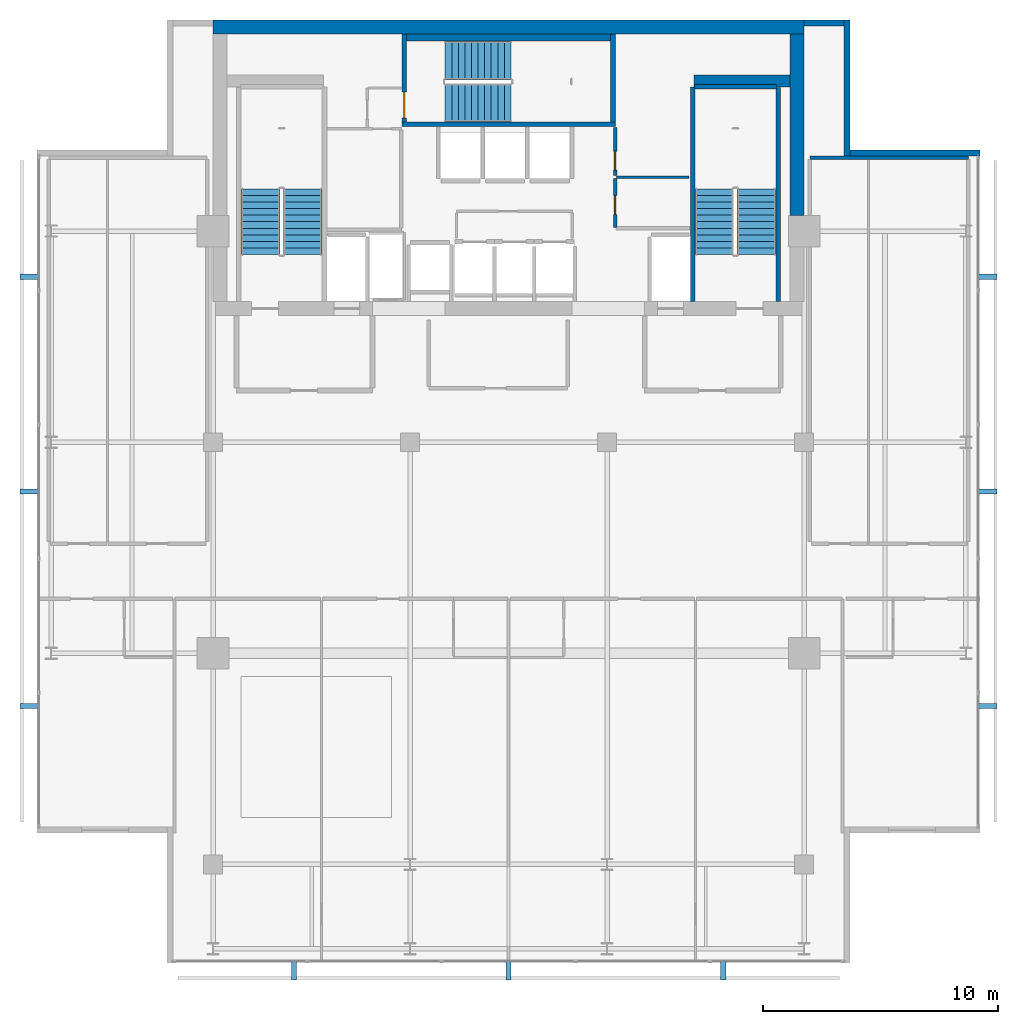
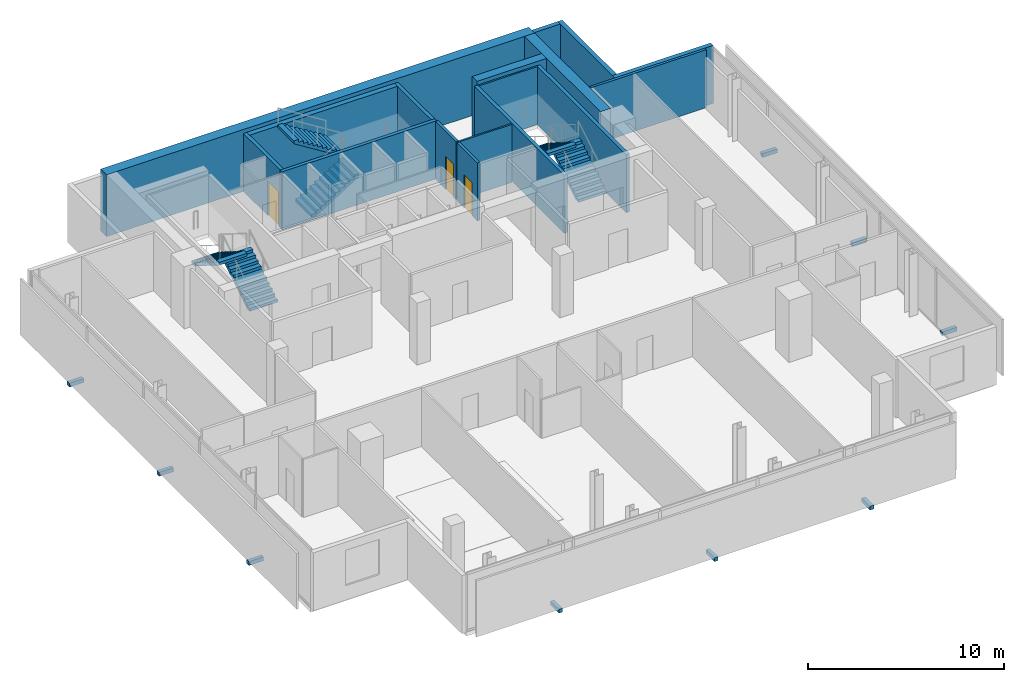
# One storey, part 19 of 23: 17 walls, 9 discrete accessories, 6 stair flights, 3 doors, 3 openings, 3 elements without a shape of their own.
"""IFC4 building model written with IfcOpenShell, lengths in metres."""

from ifc_helpers import new_model, si_unit, direction, frame, frame_2d, origin, origin_2d, place, context, subcontext, project, spatial, polyline, rectangle, outline, extrude, material, layer, layer_set, type_object, element, fill, aggregate, save


model = new_model("IFC4")

# Units and contexts
model_context = context("Model", 3, precision=1e-05, world=origin(), true_north=direction((0.0, 1.0)))
body_context = subcontext(model_context, "Body", "Model", "MODEL_VIEW")
ifc_project = project(units=[si_unit("LENGTHUNIT", "METRE"), si_unit("AREAUNIT", "SQUARE_METRE"), si_unit("VOLUMEUNIT", "CUBIC_METRE"), si_unit("PLANEANGLEUNIT", "RADIAN"), si_unit("MASSUNIT", "GRAM", prefix="KILO")], contexts=[model_context])

# Site, building, storey
site_placement = place(None, origin())
site = spatial("IfcSite", under=ifc_project, at=site_placement, CompositionType="ELEMENT")
building_placement = place(site_placement, origin())
building = spatial("IfcBuilding", under=site, at=building_placement, Name="Maruvema Waterfront Hotel and Observation Tower", CompositionType="ELEMENT")
storey_placement = place(building_placement, frame((0.0, 0.0, 341.25)))
storey = spatial("IfcBuildingStorey", under=building, at=storey_placement, Name="L84", CompositionType="ELEMENT", Elevation=341.25)

# Wall, opening, door
ifc_material_1 = material(Name="Twin-stud acoustic gypsum drywall", Category="gypsum")
ifc_layer_1 = layer(ifc_material_1, 0.14990234375, Name="Acoustic Corridor and Suite Demising Wall 150 mm")
ifc_layer_set_1 = layer_set([ifc_layer_1], Name="Twin-stud acoustic gypsum drywall")
wall_type_1 = type_object("IfcWallType", Name="Acoustic Corridor and Suite Demising Wall 150 mm", PredefinedType="PARTITIONING", material=ifc_layer_set_1)
wall_1_placement = place(storey_placement, frame((42.340087890625, 45.159912109375, 0.0), z_axis=(0.0, 0.0, 1.0), x_axis=(0.0, 1.0, 0.0)))
wall_1 = element("IfcWall", 1, at=wall_1_placement, inside=storey, type_object=wall_type_1, Name="L84 Freed B2 West S 018", PredefinedType="PARTITIONING", context=body_context, shape_type="SweptSolid", body=[
    extrude(rectangle(XDim=2.080078125, YDim=0.14990234375, at=frame_2d((1.0400390625, 0.0))), origin(), (0.0, 0.0, 1.0), 3.610107421875),
])
opening_1_placement = place(wall_1_placement, frame((0.550048828125, 0.0, 0.0)))
opening_1 = element("IfcOpeningElement", 2, at=opening_1_placement, cuts=wall_1, Name="Opening DR-080", PredefinedType="OPENING", context=body_context, shape_type="SweptSolid", body=[
    extrude(rectangle(XDim=0.800048828125, YDim=2.050048828125, at=frame_2d((0.39990234375, 1.02490234375))), frame((0.0, 0.0849609375, 0.0), z_axis=(0.0, -1.0, 0.0), x_axis=(1.0, 0.0, 0.0)), (0.0, 0.0, 1.0), 0.169921875),
])
ifc_material_2 = material(Name="Powder-coated steel access leaf", Category="steel")
door_type_1 = type_object("IfcDoorType", Name="Riser and Service Cupboard Door 800x2050 mm", OperationType="NOTDEFINED", PredefinedType="DOOR", material=ifc_material_2)
door_1_placement = place(opening_1_placement, frame((0.800048828125, 0.0, 0.0), z_axis=(0.0, 0.0, 1.0), x_axis=(-1.0, 0.0, 0.0)))
door_1 = element("IfcDoor", 3, at=door_1_placement, inside=storey, type_object=door_type_1, Name="L84 Butler Service Pantry Door", OperationType="SINGLE_SWING_LEFT", OverallHeight=2.050048828125, OverallWidth=0.800048828125, PredefinedType="DOOR", context=body_context, shape_type="SweptSolid", body=[
    extrude(rectangle(XDim=0.800048828125, YDim=2.050048828125, at=frame_2d((0.39990234375, 1.02490234375))), frame((0.0, 0.02490234375, 0.0), z_axis=(0.0, -1.0, 0.0), x_axis=(1.0, 0.0, 0.0)), (0.0, 0.0, 1.0), 0.050048828125),
])
fill(opening_1, door_1)

wall_2_placement = place(storey_placement, frame((42.340087890625, 47.360107421875, 0.0), z_axis=(0.0, 0.0, 1.0), x_axis=(0.0, 1.0, 0.0)))
wall_2 = element("IfcWall", 4, at=wall_2_placement, inside=storey, type_object=wall_type_1, Name="L84 Freed B2 West N 019", PredefinedType="PARTITIONING", context=body_context, shape_type="SweptSolid", body=[
    extrude(rectangle(XDim=2.059814453125, YDim=0.14990234375, at=frame_2d((1.02978515625, 0.0))), origin(), (0.0, 0.0, 1.0), 3.610107421875),
])
opening_2_placement = place(wall_2_placement, frame((0.239990234375, 0.0, 0.0)))
opening_2 = element("IfcOpeningElement", 5, at=opening_2_placement, cuts=wall_2, Name="Opening DR-080", PredefinedType="OPENING", context=body_context, shape_type="SweptSolid", body=[
    extrude(rectangle(XDim=0.800048828125, YDim=2.050048828125, at=frame_2d((0.39990234375, 1.02490234375))), frame((0.0, 0.0849609375, 0.0), z_axis=(0.0, -1.0, 0.0), x_axis=(1.0, 0.0, 0.0)), (0.0, 0.0, 1.0), 0.169921875),
])
door_2_placement = place(opening_2_placement, frame((0.800048828125, 0.0, 0.0), z_axis=(0.0, 0.0, 1.0), x_axis=(-1.0, 0.0, 0.0)))
door_2 = element("IfcDoor", 6, at=door_2_placement, inside=storey, type_object=door_type_1, Name="L84 Core IT and Linen Store Door", OperationType="SINGLE_SWING_RIGHT", OverallHeight=2.050048828125, OverallWidth=0.800048828125, PredefinedType="DOOR", context=body_context, shape_type="SweptSolid", body=[
    extrude(rectangle(XDim=0.800048828125, YDim=2.050048828125, at=frame_2d((0.39990234375, 1.02490234375))), frame((0.0, 0.02490234375, 0.0), z_axis=(0.0, -1.0, 0.0), x_axis=(1.0, 0.0, 0.0)), (0.0, 0.0, 1.0), 0.050048828125),
])
fill(opening_2, door_2)

# Walls
wall_3_placement = place(storey_placement, frame((50.64990234375, 48.125, 0.0), z_axis=(0.0, 0.0, 1.0), x_axis=(1.0, 0.0, 0.0)))
element("IfcWall", 7, at=wall_3_placement, inside=storey, type_object=wall_type_1, Name="L84 L84-Z4E Back Wall 031", PredefinedType="PARTITIONING", context=body_context, shape_type="SweptSolid", body=[
    extrude(rectangle(XDim=6.75, YDim=0.14990234375, at=frame_2d((3.375, 0.0))), origin(), (0.0, 0.0, 1.0), 3.610107421875),
])
ifc_material_3 = material(Name="Precast concrete C45/55", Category="concrete")
ifc_layer_2 = layer(ifc_material_3, 0.300048828125, Name="Core Shaft Furring Wall 300 mm")
ifc_layer_set_2 = layer_set([ifc_layer_2], Name="Precast concrete C45/55")
wall_type_2 = type_object("IfcWallType", Name="Core Shaft Furring Wall 300 mm", PredefinedType="SOLIDWALL", material=ifc_layer_set_2)
wall_4_placement = place(storey_placement, frame((33.449951171875, 53.25, 0.0), z_axis=(0.0, 0.0, 1.0), x_axis=(1.0, 0.0, 0.0)))
element("IfcWall", 8, at=wall_4_placement, inside=storey, type_object=wall_type_2, Name="L84 Stairwell ST-02 North Furring Wall", PredefinedType="SOLIDWALL", context=body_context, shape_type="SweptSolid", body=[
    extrude(rectangle(XDim=8.699951171875, YDim=0.300048828125, at=frame_2d((4.35009765625, 0.0))), origin(), (0.0, 0.0, 1.0), 3.610107421875),
])
ifc_material_4 = material(Name="Precast concrete C45/55", Category="concrete")
ifc_layer_3 = layer(ifc_material_4, 0.199951171875, Name="Core Shaft and Stairwell Enclosure Wall 200 mm")
ifc_layer_set_3 = layer_set([ifc_layer_3], Name="Precast concrete C45/55")
wall_type_3 = type_object("IfcWallType", Name="Core Shaft and Stairwell Enclosure Wall 200 mm", PredefinedType="SOLIDWALL", material=ifc_layer_set_3)
wall_5_placement = place(storey_placement, frame((33.25, 49.550048828125, 0.0), z_axis=(0.0, 0.0, 1.0), x_axis=(1.0, 0.0, 0.0)))
element("IfcWall", 9, at=wall_5_placement, inside=storey, type_object=wall_type_3, Name="L84 Stairwell ST-02 Shaft Wall", PredefinedType="SOLIDWALL", context=body_context, shape_type="SweptSolid", body=[
    extrude(rectangle(XDim=9.10009765625, YDim=0.199951171875, at=frame_2d((4.550048828125, 0.0))), origin(), (0.0, 0.0, 1.0), 3.610107421875),
])
wall_6_placement = place(storey_placement, frame((42.25, 49.64990234375, 0.0), z_axis=(0.0, 0.0, 1.0), x_axis=(0.0, 1.0, 0.0)))
element("IfcWall", 10, at=wall_6_placement, inside=storey, type_object=wall_type_3, Name="L84 Stairwell ST-02 Shaft Wall", PredefinedType="SOLIDWALL", context=body_context, shape_type="SweptSolid", body=[
    extrude(rectangle(XDim=3.75, YDim=0.199951171875, at=frame_2d((1.875, 0.0))), origin(), (0.0, 0.0, 1.0), 3.610107421875),
])

# Wall, opening, door
wall_7_placement = place(storey_placement, frame((33.35009765625, 49.64990234375, 0.0), z_axis=(0.0, 0.0, 1.0), x_axis=(0.0, 1.0, 0.0)))
wall_7 = element("IfcWall", 11, at=wall_7_placement, inside=storey, type_object=wall_type_3, Name="L84 Stairwell ST-02 Shaft Wall", PredefinedType="SOLIDWALL", context=body_context, shape_type="SweptSolid", body=[
    extrude(rectangle(XDim=3.75, YDim=0.199951171875, at=frame_2d((1.875, 0.0))), origin(), (0.0, 0.0, 1.0), 3.610107421875),
])
opening_3_placement = place(wall_7_placement, frame((0.179931640625, 0.0, 0.0)))
opening_3 = element("IfcOpeningElement", 12, at=opening_3_placement, cuts=wall_7, Name="Opening SD-02", PredefinedType="OPENING", context=body_context, shape_type="SweptSolid", body=[
    extrude(rectangle(XDim=1.10009765625, YDim=2.14990234375, at=frame_2d((0.550048828125, 1.074951171875))), frame((0.0, 0.10986328125, 0.0), z_axis=(0.0, -1.0, 0.0), x_axis=(1.0, 0.0, 0.0)), (0.0, 0.0, 1.0), 0.219970703125),
])
ifc_material_5 = material(Name="Fire-rated galvanised steel leaf", Category="steel")
door_type_2 = type_object("IfcDoorType", Name="Central Exit Stair Fire Door 1100x2150 mm", OperationType="NOTDEFINED", PredefinedType="DOOR", material=ifc_material_5)
door_3_placement = place(opening_3_placement, frame((1.10009765625, 0.0, 0.0), z_axis=(0.0, 0.0, 1.0), x_axis=(-1.0, 0.0, 0.0)))
door_3 = element("IfcDoor", 13, at=door_3_placement, inside=storey, type_object=door_type_2, Name="L84 Exit Stair ST-02 Fire Door", OperationType="SINGLE_SWING_LEFT", OverallHeight=2.14990234375, OverallWidth=1.10009765625, PredefinedType="DOOR", context=body_context, shape_type="SweptSolid", body=[
    extrude(rectangle(XDim=1.10009765625, YDim=2.14990234375, at=frame_2d((0.550048828125, 1.074951171875))), frame((0.0, 0.02490234375, 0.0), z_axis=(0.0, -1.0, 0.0), x_axis=(1.0, 0.0, 0.0)), (0.0, 0.0, 1.0), 0.050048828125),
])
fill(opening_3, door_3)

# Walls
wall_8_placement = place(storey_placement, frame((45.64990234375, 42.0, 0.0), z_axis=(0.0, 0.0, 1.0), x_axis=(0.0, 1.0, 0.0)))
element("IfcWall", 14, at=wall_8_placement, inside=storey, type_object=wall_type_3, Name="L84 Stairwell ST-03 West Shaft Wall", PredefinedType="SOLIDWALL", context=body_context, shape_type="SweptSolid", body=[
    extrude(rectangle(XDim=9.14990234375, YDim=0.199951171875, at=frame_2d((4.574951171875, 0.0))), origin(), (0.0, 0.0, 1.0), 3.610107421875),
])
wall_9_placement = place(storey_placement, frame((49.300048828125, 42.0, 0.0), z_axis=(0.0, 0.0, 1.0), x_axis=(0.0, 1.0, 0.0)))
element("IfcWall", 15, at=wall_9_placement, inside=storey, type_object=wall_type_3, Name="L84 Stairwell ST-03 Shaft Lining Wall", PredefinedType="SOLIDWALL", context=body_context, shape_type="SweptSolid", body=[
    extrude(rectangle(XDim=9.1201171875, YDim=0.199951171875, at=frame_2d((4.56005859375, 0.0))), origin(), (0.0, 0.0, 1.0), 3.610107421875),
])
wall_10_placement = place(storey_placement, frame((45.719970703125, 51.14990234375, 0.0), z_axis=(0.0, 0.0, 1.0), x_axis=(1.0, 0.0, 0.0)))
element("IfcWall", 16, at=wall_10_placement, inside=storey, type_object=wall_type_3, Name="L84 Stairwell ST-03 Shaft Lining Wall", PredefinedType="SOLIDWALL", context=body_context, shape_type="SweptSolid", body=[
    extrude(rectangle(XDim=3.5, YDim=0.199951171875, at=frame_2d((1.75, 0.0))), origin(), (0.0, 0.0, 1.0), 3.610107421875),
])
ifc_material_6 = material(Name="Concrete C70/85", Category="concrete")
ifc_layer_4 = layer(ifc_material_6, 0.5, Name="Core Shear Wall 500 mm")
ifc_layer_set_4 = layer_set([ifc_layer_4], Name="Concrete C70/85")
wall_type_4 = type_object("IfcWallType", Name="Core Shear Wall 500 mm", PredefinedType="SHEAR", material=ifc_layer_set_4)
wall_11_placement = place(storey_placement, frame((45.699951171875, 51.39990234375, 0.0), z_axis=(0.0, 0.0, 1.0), x_axis=(1.0, 0.0, 0.0)))
element("IfcWall", 17, at=wall_11_placement, inside=storey, type_object=wall_type_4, Name="L84 Internal Core Shear Wall NE 500 mm", PredefinedType="SHEAR", context=body_context, shape_type="SweptSolid", body=[
    extrude(rectangle(XDim=4.10009765625, YDim=0.5, at=frame_2d((2.050048828125, 0.0))), origin(), (0.0, 0.0, 1.0), 3.85009765625),
])
ifc_material_7 = material(Name="Concrete C60/75", Category="concrete")
ifc_layer_5 = layer(ifc_material_7, 0.60009765625, Name="Core Shear Wall 600 mm")
ifc_layer_set_5 = layer_set([ifc_layer_5], Name="Concrete C60/75")
wall_type_5 = type_object("IfcWallType", Name="Core Shear Wall 600 mm", PredefinedType="SHEAR", material=ifc_layer_set_5)
wall_12_placement = place(storey_placement, frame((25.199951171875, 53.699951171875, 0.0), z_axis=(0.0, 0.0, 1.0), x_axis=(1.0, 0.0, 0.0)))
element("IfcWall", 18, at=wall_12_placement, inside=storey, type_object=wall_type_5, Name="L84 North Core Shear Wall", PredefinedType="SHEAR", context=body_context, shape_type="SweptSolid", body=[
    extrude(rectangle(XDim=25.199951171875, YDim=0.60009765625, at=frame_2d((12.60009765625, 0.0))), origin(), (0.0, 0.0, 1.0), 3.85009765625),
])
wall_13_placement = place(storey_placement, frame((50.10009765625, 45.675048828125, 0.0), z_axis=(0.0, 0.0, 1.0), x_axis=(0.0, 1.0, 0.0)))
element("IfcWall", 19, at=wall_13_placement, inside=storey, type_object=wall_type_5, Name="L84 East-North Core Shear Wall", PredefinedType="SHEAR", context=body_context, shape_type="SweptSolid", body=[
    extrude(rectangle(XDim=7.724853515625, YDim=0.60009765625, at=frame_2d((3.8623046875, 0.0))), origin(), (0.0, 0.0, 1.0), 3.85009765625),
])
ifc_material_8 = material(Name="Moisture-resistant cement-board drywall", Category="gypsum")
ifc_layer_6 = layer(ifc_material_8, 0.10009765625, Name="En-Suite Moisture-Resistant Partition 100 mm")
ifc_layer_set_6 = layer_set([ifc_layer_6], Name="Moisture-resistant cement-board drywall")
wall_type_6 = type_object("IfcWallType", Name="En-Suite Moisture-Resistant Partition 100 mm", PredefinedType="PARTITIONING", material=ifc_layer_set_6)
wall_14_placement = place(storey_placement, frame((42.39990234375, 47.300048828125, 0.0), z_axis=(0.0, 0.0, 1.0), x_axis=(1.0, 0.0, 0.0)))
element("IfcWall", 20, at=wall_14_placement, inside=storey, type_object=wall_type_6, Name="L84 Freed B2 Split 020", PredefinedType="PARTITIONING", context=body_context, shape_type="SweptSolid", body=[
    extrude(rectangle(XDim=3.10009765625, YDim=0.10009765625, at=frame_2d((1.550048828125, 0.0))), origin(), (0.0, 0.0, 1.0), 3.610107421875),
])
ifc_material_9 = material(Name="Precast concrete C45/55 with honed Pernambuco granite facing", Category="masonry")
ifc_layer_7 = layer(ifc_material_9, 0.260009765625, Name="Exterior Granite Clad Spandrel and Pier Wall 260 mm")
ifc_layer_set_7 = layer_set([ifc_layer_7], Name="Precast concrete C45/55 with honed Pernambuco granite facing")
wall_type_7 = type_object("IfcWallType", Name="Exterior Granite Clad Spandrel and Pier Wall 260 mm", PredefinedType="SOLIDWALL", material=ifc_layer_set_7)
wall_15_placement = place(storey_placement, frame((52.22998046875, 54.0, 0.0), z_axis=(0.0, 0.0, 1.0), x_axis=(0.0, -1.0, 0.0)))
element("IfcWall", 21, at=wall_15_placement, inside=storey, type_object=wall_type_7, Name="L84 Corner Notch Granite Pier Wall NE1", PredefinedType="SOLIDWALL", context=body_context, shape_type="SweptSolid", body=[
    extrude(rectangle(XDim=5.800048828125, YDim=0.260009765625, at=frame_2d((2.89990234375, 0.0))), origin(), (0.0, 0.0, 1.0), 3.610107421875),
])
wall_16_placement = place(storey_placement, frame((52.10009765625, 48.330078125, 0.0), z_axis=(0.0, 0.0, 1.0), x_axis=(1.0, 0.0, 0.0)))
element("IfcWall", 22, at=wall_16_placement, inside=storey, type_object=wall_type_7, Name="L84 Corner Notch Granite Pier Wall NE2", PredefinedType="SOLIDWALL", context=body_context, shape_type="SweptSolid", body=[
    extrude(rectangle(XDim=5.7998046875, YDim=0.260009765625, at=frame_2d((2.89990234375, 0.0))), origin(), (0.0, 0.0, 1.0), 3.610107421875),
])
wall_17_placement = place(storey_placement, frame((52.10009765625, 53.8701171875, 0.0), z_axis=(0.0, 0.0, 1.0), x_axis=(-1.0, 0.0, 0.0)))
element("IfcWall", 23, at=wall_17_placement, inside=storey, type_object=wall_type_7, Name="L84 North-East Core Flanking Pier Wall", PredefinedType="SOLIDWALL", context=body_context, shape_type="SweptSolid", body=[
    extrude(rectangle(XDim=1.7001953125, YDim=0.260009765625, at=frame_2d((0.85009765625, 0.0))), origin(), (0.0, 0.0, 1.0), 3.610107421875),
])

# Stair, stair flights
ifc_material_10 = material(Name="Concrete C50/60", Category="concrete")
stair_type = type_object("IfcStairType", Name="Dogleg Exit Stair 1650 mm (22R x 175.0 mm)", PredefinedType="HALF_TURN_STAIR", material=ifc_material_10)
stair_1_placement = place(storey_placement, origin())
stair_1 = element("IfcStair", 24, at=stair_1_placement, inside=storey, type_object=stair_type, Name="L84 ST-01", PredefinedType="HALF_TURN_STAIR")
ifc_material_11 = material(Name="Concrete C50/60", Category="concrete")
stair_flight_type = type_object("IfcStairFlightType", Name="Reinforced Concrete Stair Flight 1650 mm (11R x 175.0 mm)", PredefinedType="STRAIGHT", material=ifc_material_11)
stair_flight_1_placement = place(storey_placement, frame((29.02490234375, 44.0, 0.0), z_axis=(0.0, 0.0, 1.0), x_axis=(0.0, 1.0, 0.0)))
stair_flight_1 = element("IfcStairFlight", 25, at=stair_flight_1_placement, type_object=stair_flight_type, Name="ST-01 flight 1", NumberOfRisers=11, NumberOfTreads=10, PredefinedType="STRAIGHT", RiserHeight=0.175, TreadLength=0.28, context=body_context, shape_type="SweptSolid", body=[
    extrude(outline(polyline([(0.0, 0.0), (0.0, 0.175048828125), (0.280029296875, 0.175048828125), (0.280029296875, 0.35009765625), (0.56005859375, 0.35009765625), (0.56005859375, 0.52490234375), (0.840087890625, 0.52490234375), (0.840087890625, 0.699951171875), (1.1201171875, 0.699951171875), (1.1201171875, 0.875), (1.39990234375, 0.875), (1.39990234375, 1.050048828125), (1.679931640625, 1.050048828125), (1.679931640625, 1.22509765625), (1.9599609375, 1.22509765625), (1.9599609375, 1.39990234375), (2.239990234375, 1.39990234375), (2.239990234375, 1.574951171875), (2.52001953125, 1.574951171875), (2.52001953125, 1.75), (2.800048828125, 1.75), (2.800048828125, 1.925048828125), (2.800048828125, 1.5732421875), (0.28271484375, 0.0), (0.0, 0.0)])), frame((0.0, 0.824951171875, 0.0), z_axis=(0.0, -1.0, 0.0), x_axis=(1.0, 0.0, 0.0)), (0.0, 0.0, 1.0), 1.64990234375),
])
stair_flight_2_placement = place(storey_placement, frame((27.22509765625, 46.800048828125, 1.925048828125), z_axis=(0.0, 0.0, 1.0), x_axis=(0.0, -1.0, 0.0)))
stair_flight_2 = element("IfcStairFlight", 26, at=stair_flight_2_placement, type_object=stair_flight_type, Name="ST-01 flight 2", NumberOfRisers=11, NumberOfTreads=10, PredefinedType="STRAIGHT", RiserHeight=0.175, TreadLength=0.28, context=body_context, shape_type="SweptSolid", body=[
    extrude(outline(polyline([(0.0, 0.0), (0.0, 0.175048828125), (0.280029296875, 0.175048828125), (0.280029296875, 0.35009765625), (0.56005859375, 0.35009765625), (0.56005859375, 0.52490234375), (0.840087890625, 0.52490234375), (0.840087890625, 0.699951171875), (1.1201171875, 0.699951171875), (1.1201171875, 0.875), (1.39990234375, 0.875), (1.39990234375, 1.050048828125), (1.679931640625, 1.050048828125), (1.679931640625, 1.22509765625), (1.9599609375, 1.22509765625), (1.9599609375, 1.39990234375), (2.239990234375, 1.39990234375), (2.239990234375, 1.574951171875), (2.52001953125, 1.574951171875), (2.52001953125, 1.75), (2.800048828125, 1.75), (2.800048828125, 1.925048828125), (2.800048828125, 1.5732421875), (0.28271484375, 0.0), (0.0, 0.0)])), frame((0.0, 0.824951171875, 0.0), z_axis=(0.0, -1.0, 0.0), x_axis=(1.0, 0.0, 0.0)), (0.0, 0.0, 1.0), 1.64990234375),
])
aggregate(stair_1, [stair_flight_1, stair_flight_2])

stair_2_placement = place(storey_placement, origin())
stair_2 = element("IfcStair", 27, at=stair_2_placement, inside=storey, type_object=stair_type, Name="L84 ST-02", PredefinedType="HALF_TURN_STAIR")
stair_flight_3_placement = place(storey_placement, frame((35.10009765625, 50.47509765625, 0.0), z_axis=(0.0, 0.0, 1.0), x_axis=(1.0, 0.0, 0.0)))
stair_flight_3 = element("IfcStairFlight", 28, at=stair_flight_3_placement, type_object=stair_flight_type, Name="ST-02 flight 1", NumberOfRisers=11, NumberOfTreads=10, PredefinedType="STRAIGHT", RiserHeight=0.175, TreadLength=0.28, context=body_context, shape_type="SweptSolid", body=[
    extrude(outline(polyline([(0.0, 0.0), (0.0, 0.175048828125), (0.280029296875, 0.175048828125), (0.280029296875, 0.35009765625), (0.56005859375, 0.35009765625), (0.56005859375, 0.52490234375), (0.840087890625, 0.52490234375), (0.840087890625, 0.699951171875), (1.1201171875, 0.699951171875), (1.1201171875, 0.875), (1.39990234375, 0.875), (1.39990234375, 1.050048828125), (1.679931640625, 1.050048828125), (1.679931640625, 1.22509765625), (1.9599609375, 1.22509765625), (1.9599609375, 1.39990234375), (2.239990234375, 1.39990234375), (2.239990234375, 1.574951171875), (2.52001953125, 1.574951171875), (2.52001953125, 1.75), (2.800048828125, 1.75), (2.800048828125, 1.925048828125), (2.800048828125, 1.5732421875), (0.28271484375, 0.0), (0.0, 0.0)])), frame((0.0, 0.824951171875, 0.0), z_axis=(0.0, -1.0, 0.0), x_axis=(1.0, 0.0, 0.0)), (0.0, 0.0, 1.0), 1.64990234375),
])
stair_flight_4_placement = place(storey_placement, frame((37.89990234375, 52.27490234375, 1.925048828125), z_axis=(0.0, 0.0, 1.0), x_axis=(-1.0, 0.0, 0.0)))
stair_flight_4 = element("IfcStairFlight", 29, at=stair_flight_4_placement, type_object=stair_flight_type, Name="ST-02 flight 2", NumberOfRisers=11, NumberOfTreads=10, PredefinedType="STRAIGHT", RiserHeight=0.175, TreadLength=0.28, context=body_context, shape_type="SweptSolid", body=[
    extrude(outline(polyline([(0.0, 0.0), (0.0, 0.175048828125), (0.280029296875, 0.175048828125), (0.280029296875, 0.35009765625), (0.56005859375, 0.35009765625), (0.56005859375, 0.52490234375), (0.840087890625, 0.52490234375), (0.840087890625, 0.699951171875), (1.1201171875, 0.699951171875), (1.1201171875, 0.875), (1.39990234375, 0.875), (1.39990234375, 1.050048828125), (1.679931640625, 1.050048828125), (1.679931640625, 1.22509765625), (1.9599609375, 1.22509765625), (1.9599609375, 1.39990234375), (2.239990234375, 1.39990234375), (2.239990234375, 1.574951171875), (2.52001953125, 1.574951171875), (2.52001953125, 1.75), (2.800048828125, 1.75), (2.800048828125, 1.925048828125), (2.800048828125, 1.5732421875), (0.28271484375, 0.0), (0.0, 0.0)])), frame((0.0, 0.824951171875, 0.0), z_axis=(0.0, -1.0, 0.0), x_axis=(1.0, 0.0, 0.0)), (0.0, 0.0, 1.0), 1.64990234375),
])
aggregate(stair_2, [stair_flight_3, stair_flight_4])

stair_3_placement = place(storey_placement, origin())
stair_3 = element("IfcStair", 30, at=stair_3_placement, inside=storey, type_object=stair_type, Name="L84 ST-03", PredefinedType="HALF_TURN_STAIR")
stair_flight_5_placement = place(storey_placement, frame((48.375, 44.0, 0.0), z_axis=(0.0, 0.0, 1.0), x_axis=(0.0, 1.0, 0.0)))
stair_flight_5 = element("IfcStairFlight", 31, at=stair_flight_5_placement, type_object=stair_flight_type, Name="ST-03 flight 1", NumberOfRisers=11, NumberOfTreads=10, PredefinedType="STRAIGHT", RiserHeight=0.175, TreadLength=0.28, context=body_context, shape_type="SweptSolid", body=[
    extrude(outline(polyline([(0.0, 0.0), (0.0, 0.175048828125), (0.280029296875, 0.175048828125), (0.280029296875, 0.35009765625), (0.56005859375, 0.35009765625), (0.56005859375, 0.52490234375), (0.840087890625, 0.52490234375), (0.840087890625, 0.699951171875), (1.1201171875, 0.699951171875), (1.1201171875, 0.875), (1.39990234375, 0.875), (1.39990234375, 1.050048828125), (1.679931640625, 1.050048828125), (1.679931640625, 1.22509765625), (1.9599609375, 1.22509765625), (1.9599609375, 1.39990234375), (2.239990234375, 1.39990234375), (2.239990234375, 1.574951171875), (2.52001953125, 1.574951171875), (2.52001953125, 1.75), (2.800048828125, 1.75), (2.800048828125, 1.925048828125), (2.800048828125, 1.5732421875), (0.28271484375, 0.0), (0.0, 0.0)])), frame((0.0, 0.824951171875, 0.0), z_axis=(0.0, -1.0, 0.0), x_axis=(1.0, 0.0, 0.0)), (0.0, 0.0, 1.0), 1.64990234375),
])
stair_flight_6_placement = place(storey_placement, frame((46.574951171875, 46.800048828125, 1.925048828125), z_axis=(0.0, 0.0, 1.0), x_axis=(0.0, -1.0, 0.0)))
stair_flight_6 = element("IfcStairFlight", 32, at=stair_flight_6_placement, type_object=stair_flight_type, Name="ST-03 flight 2", NumberOfRisers=11, NumberOfTreads=10, PredefinedType="STRAIGHT", RiserHeight=0.175, TreadLength=0.28, context=body_context, shape_type="SweptSolid", body=[
    extrude(outline(polyline([(0.0, 0.0), (0.0, 0.175048828125), (0.280029296875, 0.175048828125), (0.280029296875, 0.35009765625), (0.56005859375, 0.35009765625), (0.56005859375, 0.52490234375), (0.840087890625, 0.52490234375), (0.840087890625, 0.699951171875), (1.1201171875, 0.699951171875), (1.1201171875, 0.875), (1.39990234375, 0.875), (1.39990234375, 1.050048828125), (1.679931640625, 1.050048828125), (1.679931640625, 1.22509765625), (1.9599609375, 1.22509765625), (1.9599609375, 1.39990234375), (2.239990234375, 1.39990234375), (2.239990234375, 1.574951171875), (2.52001953125, 1.574951171875), (2.52001953125, 1.75), (2.800048828125, 1.75), (2.800048828125, 1.925048828125), (2.800048828125, 1.5732421875), (0.28271484375, 0.0), (0.0, 0.0)])), frame((0.0, 0.824951171875, 0.0), z_axis=(0.0, -1.0, 0.0), x_axis=(1.0, 0.0, 0.0)), (0.0, 0.0, 1.0), 1.64990234375),
])
aggregate(stair_3, [stair_flight_5, stair_flight_6])

# Discrete accessories
ifc_material_12 = material(Name="Duplex stainless steel Grade 2205", Category="steel")
discrete_accessory_type = type_object("IfcDiscreteAccessoryType", Name="Double-Skin Cavity Stainless Outrigger Bracket", PredefinedType="BRACKET", material=ifc_material_12)
for number, where, z_axis, x_axis, name in (
    (33, (28.64794921875, 13.5, -0.14013671875), (0.0, 0.0, 1.0), (1.0, 0.0, 0.0), "L84 Outer Skin Support Bracket 1"),
    (34, (37.800048828125, 13.5, -0.14013671875), (0.0, 0.0, 1.0), (1.0, 0.0, 0.0), "L84 Outer Skin Support Bracket 2"),
    (35, (46.951904296875, 13.5, -0.14013671875), (0.0, 0.0, 1.0), (1.0, 0.0, 0.0), "L84 Outer Skin Support Bracket 3"),
    (36, (58.199951171875, 24.748046875, -0.14013671875), (0.0, 0.0, 1.0), (0.0, 1.0, 0.0), "L84 Outer Skin Support Bracket 1"),
    (37, (58.199951171875, 33.89990234375, -0.14013671875), (0.0, 0.0, 1.0), (0.0, 1.0, 0.0), "L84 Outer Skin Support Bracket 2"),
    (38, (58.199951171875, 43.052001953125, -0.14013671875), (0.0, 0.0, 1.0), (0.0, 1.0, 0.0), "L84 Outer Skin Support Bracket 3"),
    (39, (17.39990234375, 43.052001953125, -0.14013671875), (0.0, 0.0, 1.0), (0.0, -1.0, 0.0), "L84 Outer Skin Support Bracket 1"),
    (40, (17.39990234375, 33.89990234375, -0.14013671875), (0.0, 0.0, 1.0), (0.0, -1.0, 0.0), "L84 Outer Skin Support Bracket 2"),
    (41, (17.39990234375, 24.748046875, -0.14013671875), (0.0, 0.0, 1.0), (0.0, -1.0, 0.0), "L84 Outer Skin Support Bracket 3"),
):
    element("IfcDiscreteAccessory", number, at=place(storey_placement, frame(where, z_axis=z_axis, x_axis=x_axis)), inside=storey, type_object=discrete_accessory_type, Name=name, PredefinedType="BRACKET", context=body_context, shape_type="SweptSolid", body=[
        extrude(rectangle(XDim=0.219970703125, YDim=0.860107421875, at=origin_2d()), origin(), (0.0, 0.0, 1.0), 0.239990234375),
    ])

save(model, "model.ifc")
